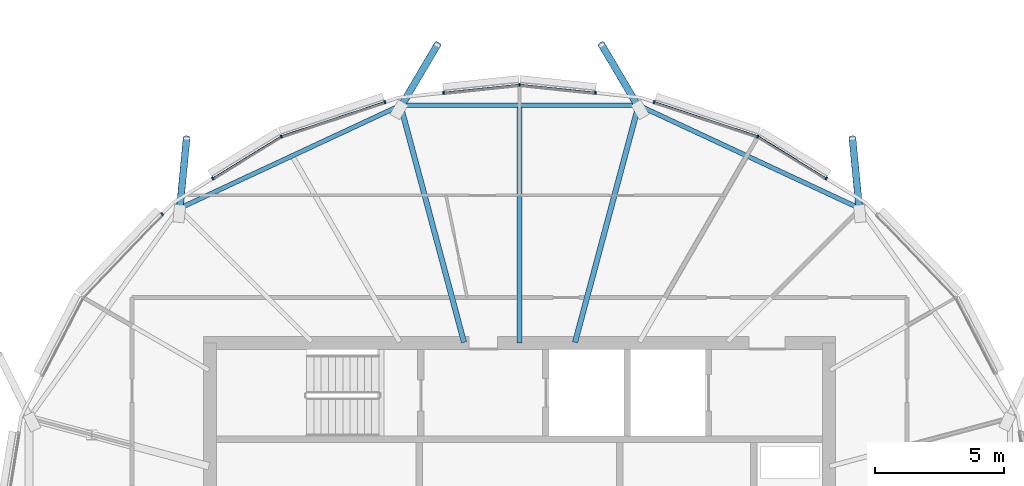
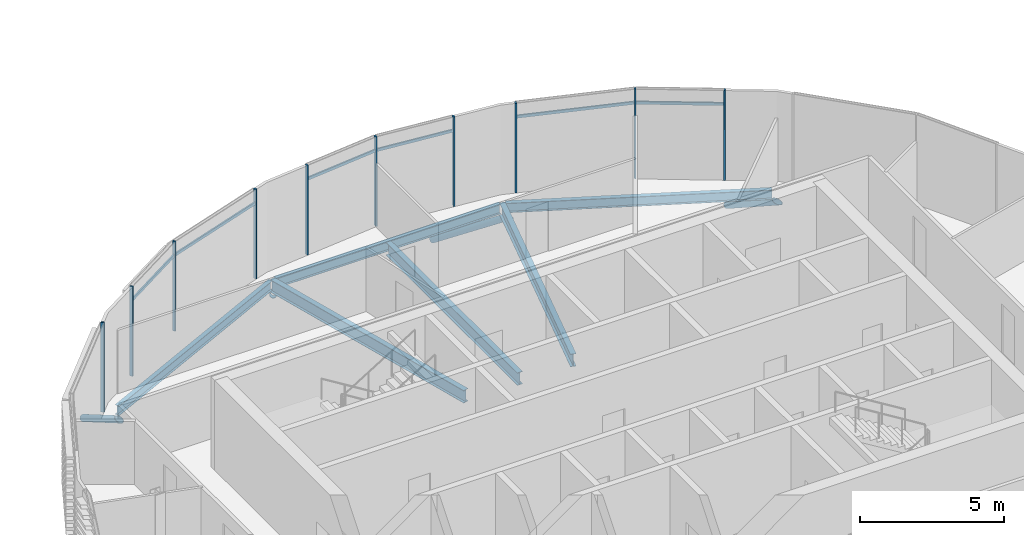
# One storey, part 7 of 34: 20 members, 6 beams, 1 element without a shape of its own.
"""IFC4 building model written with IfcOpenShell, lengths in metres."""

from ifc_helpers import new_model, si_unit, direction, frame, origin, origin_2d, place, context, subcontext, project, spatial, rectangle, hollow_circle, i_section, extrude, clip, halfspace, material, material_profile, profile_set, type_object, element, aggregate, save


model = new_model("IFC4")

# Units and contexts
model_context = context("Model", 3, precision=1e-05, world=origin(), true_north=direction((0.0, 1.0)))
body_context = subcontext(model_context, "Body", "Model", "MODEL_VIEW")
ifc_project = project(units=[si_unit("LENGTHUNIT", "METRE"), si_unit("AREAUNIT", "SQUARE_METRE"), si_unit("VOLUMEUNIT", "CUBIC_METRE"), si_unit("PLANEANGLEUNIT", "RADIAN"), si_unit("MASSUNIT", "GRAM", prefix="KILO")], contexts=[model_context])

# Site, building, storey
site_placement = place(None, origin())
site = spatial("IfcSite", under=ifc_project, at=site_placement, CompositionType="ELEMENT")
building_placement = place(site_placement, origin())
building = spatial("IfcBuilding", under=site, at=building_placement, Name="Rimbun Link Towers", CompositionType="ELEMENT")
storey_placement = place(building_placement, frame((0.0, 0.0, 252.300048828125)))
storey = spatial("IfcBuildingStorey", under=building, at=storey_placement, Name="L62", CompositionType="ELEMENT", Elevation=252.300048828125)

# Curtain wall, members
ifc_material_1 = material(Name="Aluminium 6063-T6 and low-iron glass", Category="aluminium")
curtain_wall_type = type_object("IfcCurtainWallType", Name="CW1-Z4 unitised vision wall (zone 4)", PredefinedType="NOTDEFINED", material=ifc_material_1)
curtain_wall_placement = place(storey_placement, origin())
curtain_wall = element("IfcCurtainWall", 1, at=curtain_wall_placement, inside=storey, type_object=curtain_wall_type, Name="CW1 L62 T1", PredefinedType="NOTDEFINED")
ifc_material_2 = material(Name="Aluminium 6063-T6", Category="aluminium")
ifc_material_profile_1 = material_profile(ifc_material_2, rectangle(XDim=0.1201171875, YDim=0.06005859375, at=origin_2d()), Name="MULLION 60X120")
ifc_profile_set_1 = profile_set([ifc_material_profile_1], Name="Aluminium 6063-T6")
member_type_1 = type_object("IfcMemberType", Name="CW1 mullion 60X120", PredefinedType="MULLION", material=ifc_profile_set_1)
member_1_placement = place(storey_placement, frame((-22.511474609375, 16.01220703125, 0.0), z_axis=(0.0, 0.0, 1.0), x_axis=(0.421699968812, 0.906735427953, 0.0)))
member_1 = element("IfcMember", 2, at=member_1_placement, type_object=member_type_1, Name="CW1 mullion", PredefinedType="MULLION", context=body_context, shape_type="SweptSolid", body=[
    extrude(rectangle(XDim=0.1201171875, YDim=0.06005859375, at=origin_2d()), origin(), (0.0, 0.0, 1.0), 3.800048828125),
])
member_2_placement = place(storey_placement, frame((-19.8603515625, 14.385009765625, 0.0), z_axis=(0.0, 0.0, 1.0), x_axis=(0.523228997113, 0.852192124219, 0.0)))
member_2 = element("IfcMember", 3, at=member_2_placement, type_object=member_type_1, Name="CW1 mullion", PredefinedType="MULLION", context=body_context, shape_type="SweptSolid", body=[
    extrude(rectangle(XDim=0.1201171875, YDim=0.06005859375, at=origin_2d()), origin(), (0.0, 0.0, 1.0), 3.800048828125),
])
member_3_placement = place(storey_placement, frame((-26.530517578125, 17.344482421875, 0.0), z_axis=(0.0, 0.0, 1.0), x_axis=(0.314569451089, 0.949234460205, 0.0)))
member_3 = element("IfcMember", 4, at=member_3_placement, type_object=member_type_1, Name="CW1 mullion", PredefinedType="MULLION", context=body_context, shape_type="SweptSolid", body=[
    extrude(rectangle(XDim=0.1201171875, YDim=0.06005859375, at=origin_2d()), origin(), (0.0, 0.0, 1.0), 3.800048828125),
])
member_4_placement = place(storey_placement, frame((-31.75, 18.01318359375, 0.0), z_axis=(0.0, 0.0, 1.0), x_axis=(0.0, 1.0, 0.0)))
member_4 = element("IfcMember", 5, at=member_4_placement, type_object=member_type_1, Name="CW1 mullion", PredefinedType="MULLION", context=body_context, shape_type="SweptSolid", body=[
    extrude(rectangle(XDim=0.1201171875, YDim=0.06005859375, at=origin_2d()), origin(), (0.0, 0.0, 1.0), 3.800048828125),
])
member_5_placement = place(storey_placement, frame((-28.8056640625, 17.70361328125, 0.0), z_axis=(0.0, 0.0, 1.0), x_axis=(0.10473236474, 0.994500443326, 0.0)))
member_5 = element("IfcMember", 6, at=member_5_placement, type_object=member_type_1, Name="CW1 mullion", PredefinedType="MULLION", context=body_context, shape_type="SweptSolid", body=[
    extrude(rectangle(XDim=0.1201171875, YDim=0.06005859375, at=origin_2d()), origin(), (0.0, 0.0, 1.0), 3.800048828125),
])
member_6_placement = place(storey_placement, frame((-34.6943359375, 17.70361328125, 0.0), z_axis=(0.0, 0.0, 1.0), x_axis=(-0.10473236474, 0.994500443326, 0.0)))
member_6 = element("IfcMember", 7, at=member_6_placement, type_object=member_type_1, Name="CW1 mullion", PredefinedType="MULLION", context=body_context, shape_type="SweptSolid", body=[
    extrude(rectangle(XDim=0.1201171875, YDim=0.06005859375, at=origin_2d()), origin(), (0.0, 0.0, 1.0), 3.800048828125),
])
member_7_placement = place(storey_placement, frame((-40.988525390625, 16.01220703125, 0.0), z_axis=(0.0, 0.0, 1.0), x_axis=(-0.421699968812, 0.906735427953, 0.0)))
member_7 = element("IfcMember", 8, at=member_7_placement, type_object=member_type_1, Name="CW1 mullion", PredefinedType="MULLION", context=body_context, shape_type="SweptSolid", body=[
    extrude(rectangle(XDim=0.1201171875, YDim=0.06005859375, at=origin_2d()), origin(), (0.0, 0.0, 1.0), 3.800048828125),
])
member_8_placement = place(storey_placement, frame((-36.969482421875, 17.344482421875, 0.0), z_axis=(0.0, 0.0, 1.0), x_axis=(-0.314569451089, 0.949234460205, 0.0)))
member_8 = element("IfcMember", 9, at=member_8_placement, type_object=member_type_1, Name="CW1 mullion", PredefinedType="MULLION", context=body_context, shape_type="SweptSolid", body=[
    extrude(rectangle(XDim=0.1201171875, YDim=0.06005859375, at=origin_2d()), origin(), (0.0, 0.0, 1.0), 3.800048828125),
])
member_9_placement = place(storey_placement, frame((-43.6396484375, 14.385009765625, 0.0), z_axis=(0.0, 0.0, 1.0), x_axis=(-0.523228997113, 0.852192124219, 0.0)))
member_9 = element("IfcMember", 10, at=member_9_placement, type_object=member_type_1, Name="CW1 mullion", PredefinedType="MULLION", context=body_context, shape_type="SweptSolid", body=[
    extrude(rectangle(XDim=0.1201171875, YDim=0.06005859375, at=origin_2d()), origin(), (0.0, 0.0, 1.0), 3.800048828125),
])
member_10_placement = place(storey_placement, frame((-45.6005859375, 13.00048828125, 0.0), z_axis=(0.0, 0.0, 1.0), x_axis=(-0.721858292347, 0.692040898915, 0.0)))
member_10 = element("IfcMember", 11, at=member_10_placement, type_object=member_type_1, Name="CW1 mullion", PredefinedType="MULLION", context=body_context, shape_type="SweptSolid", body=[
    extrude(rectangle(XDim=0.1201171875, YDim=0.06005859375, at=origin_2d()), origin(), (0.0, 0.0, 1.0), 3.800048828125),
])
ifc_material_3 = material(Name="Aluminium 6063-T6", Category="aluminium")
ifc_material_profile_2 = material_profile(ifc_material_3, rectangle(XDim=0.06005859375, YDim=0.1201171875, at=origin_2d()), Name="TRANSOM 60X120")
ifc_profile_set_2 = profile_set([ifc_material_profile_2], Name="Aluminium 6063-T6")
member_type_2 = type_object("IfcMemberType", Name="CW1 transom 60X120", PredefinedType="USERDEFINED", material=ifc_profile_set_2)
member_11_placement = place(storey_placement, frame((-22.480712890625, 15.991455078125, 3.199951171875), z_axis=(0.852189422972, -0.523233396654, 0.0), x_axis=(0.523233396654, 0.852189422972, 0.0)))
member_11 = element("IfcMember", 12, at=member_11_placement, type_object=member_type_2, Name="CW1 transom", ObjectType="TRANSOM", PredefinedType="USERDEFINED", context=body_context, shape_type="SweptSolid", body=[
    extrude(rectangle(XDim=0.06005859375, YDim=0.1201171875, at=origin_2d()), origin(), (0.0, 0.0, 1.0), 3.043701171875),
])
member_12_placement = place(storey_placement, frame((-26.502685546875, 17.333251953125, 3.199951171875), z_axis=(0.949226715592, -0.314592820017, 0.0), x_axis=(0.314592820017, 0.949226715592, 0.0)))
member_12 = element("IfcMember", 13, at=member_12_placement, type_object=member_type_2, Name="CW1 transom", ObjectType="TRANSOM", PredefinedType="USERDEFINED", context=body_context, shape_type="SweptSolid", body=[
    extrude(rectangle(XDim=0.06005859375, YDim=0.1201171875, at=origin_2d()), origin(), (0.0, 0.0, 1.0), 4.16748046875),
])
member_13_placement = place(storey_placement, frame((-31.714111328125, 18.0078125, 3.199951171875), z_axis=(0.99449713024, -0.104763819827, 0.0), x_axis=(0.104763819827, 0.99449713024, 0.0)))
member_13 = element("IfcMember", 14, at=member_13_placement, type_object=member_type_2, Name="CW1 transom", ObjectType="TRANSOM", PredefinedType="USERDEFINED", context=body_context, shape_type="SweptSolid", body=[
    extrude(rectangle(XDim=0.06005859375, YDim=0.1201171875, at=origin_2d()), origin(), (0.0, 0.0, 1.0), 2.894287109375),
])
member_14_placement = place(storey_placement, frame((-34.664306640625, 17.70458984375, 3.199951171875), z_axis=(0.99449713024, 0.104763819827, 0.0), x_axis=(-0.104763819827, 0.99449713024, 0.0)))
member_14 = element("IfcMember", 15, at=member_14_placement, type_object=member_type_2, Name="CW1 transom", ObjectType="TRANSOM", PredefinedType="USERDEFINED", context=body_context, shape_type="SweptSolid", body=[
    extrude(rectangle(XDim=0.06005859375, YDim=0.1201171875, at=origin_2d()), origin(), (0.0, 0.0, 1.0), 2.894287109375),
])
member_15_placement = place(storey_placement, frame((-40.953125, 16.022216796875, 3.199951171875), z_axis=(0.949226715592, 0.314592820017, 0.0), x_axis=(-0.314592820017, 0.949226715592, 0.0)))
member_15 = element("IfcMember", 16, at=member_15_placement, type_object=member_type_2, Name="CW1 transom", ObjectType="TRANSOM", PredefinedType="USERDEFINED", context=body_context, shape_type="SweptSolid", body=[
    extrude(rectangle(XDim=0.06005859375, YDim=0.1201171875, at=origin_2d()), origin(), (0.0, 0.0, 1.0), 4.16748046875),
])
member_16_placement = place(storey_placement, frame((-43.613037109375, 14.39892578125, 3.199951171875), z_axis=(0.852189422972, 0.523233396654, 0.0), x_axis=(-0.523233396654, 0.852189422972, 0.0)))
member_16 = element("IfcMember", 17, at=member_16_placement, type_object=member_type_2, Name="CW1 transom", ObjectType="TRANSOM", PredefinedType="USERDEFINED", context=body_context, shape_type="SweptSolid", body=[
    extrude(rectangle(XDim=0.06005859375, YDim=0.1201171875, at=origin_2d()), origin(), (0.0, 0.0, 1.0), 3.043701171875),
])
aggregate(curtain_wall, [member_1, member_2, member_3, member_4, member_5, member_6, member_7, member_8, member_9, member_10, member_11, member_12, member_13, member_14, member_15, member_16])

# Members
ifc_material_4 = material(Name="Steel S355J2H", Category="steel")
ifc_material_profile_3 = material_profile(ifc_material_4, hollow_circle(Radius=0.136474609375, WallThickness=0.012451171875, at=origin_2d()), Name="CHS 273x12.5")
ifc_profile_set_3 = profile_set([ifc_material_profile_3], Name="Steel S355J2H")
member_type_3 = type_object("IfcMemberType", Name="Floor edge link CHS 273x12.5", PredefinedType="BRACE", material=ifc_profile_set_3)
member_17_placement = place(storey_placement, frame((-18.574951171875, 13.175048828125, -0.66259765625), z_axis=(-0.082598273925, 0.846780333317, -0.525490810816), x_axis=(-0.995276274176, -0.097083150247, 0.0)))
element("IfcMember", 18, at=member_17_placement, inside=storey, type_object=member_type_3, Name="Floor edge link T1 L62 03", PredefinedType="BRACE", context=body_context, shape_type="Clipping", body=[
    clip(extrude(hollow_circle(Radius=0.136474609375, WallThickness=0.012451171875, at=origin_2d()), frame((0.0, 0.0, -0.4609375)), (0.0, 0.0, 1.0), 3.759521484375), halfspace(frame((0.0, 0.0, -0.21728515625), z_axis=(0.0, 0.850799275827, -0.525490810816)), False)),
])
for number, where, z_axis, x_axis, name in (
    (19, (-27.14990234375, 17.167724609375, -0.787109375), (-0.424091447819, 0.717893664357, -0.552064426099), (-0.860988738342, -0.508624018748, 0.0), "Floor edge link T1 L62 05"),
    (20, (-36.35009765625, 17.167724609375, -0.787109375), (0.424091447819, 0.717893664357, -0.552064426099), (-0.860988738342, 0.508624018748, 0.0), "Floor edge link T1 L62 07"),
):
    element("IfcMember", number, at=place(storey_placement, frame(where, z_axis=z_axis, x_axis=x_axis)), inside=storey, type_object=member_type_3, Name=name, PredefinedType="BRACE", context=body_context, shape_type="Clipping", body=[
        clip(extrude(hollow_circle(Radius=0.136474609375, WallThickness=0.012451171875, at=origin_2d()), frame((0.0, 0.0, -0.430419921875)), (0.0, 0.0, 1.0), 3.80322265625), halfspace(frame((0.0, 0.0, -0.202880859375), z_axis=(0.0, 0.833801456845, -0.552064426099)), False)),
    ])
member_18_placement = place(storey_placement, frame((-44.925048828125, 13.175048828125, -0.66259765625), z_axis=(0.082598273925, 0.846780333317, -0.525490810816), x_axis=(-0.995276274176, 0.097083150247, 0.0)))
element("IfcMember", 21, at=member_18_placement, inside=storey, type_object=member_type_3, Name="Floor edge link T1 L62 09", PredefinedType="BRACE", context=body_context, shape_type="Clipping", body=[
    clip(extrude(hollow_circle(Radius=0.136474609375, WallThickness=0.012451171875, at=origin_2d()), frame((0.0, 0.0, -0.4609375)), (0.0, 0.0, 1.0), 3.759521484375), halfspace(frame((0.0, 0.0, -0.21728515625), z_axis=(0.0, 0.850799275827, -0.525490810816)), False)),
])

# Beams
ifc_material_5 = material(Name="Steel S355J2", Category="steel")
ifc_material_profile_4 = material_profile(ifc_material_5, i_section(OverallWidth=0.177978515625, OverallDepth=0.406494140625, WebThickness=0.0078125, FlangeThickness=0.0126953125, at=origin_2d()), Name="UB 406x178x60")
ifc_profile_set_4 = profile_set([ifc_material_profile_4], Name="Steel S355J2")
beam_type_1 = type_object("IfcBeamType", Name="UB 406x178x60", PredefinedType="BEAM", material=ifc_profile_set_4)
beam_1_placement = place(storey_placement, frame((-18.62646484375, 13.250732421875, -0.34326171875), z_axis=(-0.906432957626, 0.422349728696, 0.0), x_axis=(-0.422349728696, -0.906432957626, 0.0)))
element("IfcBeam", 22, at=beam_1_placement, inside=storey, type_object=beam_type_1, Name="Edge beam T1 L62 03-05", PredefinedType="BEAM", context=body_context, shape_type="SweptSolid", body=[
    extrude(i_section(OverallWidth=0.177978515625, OverallDepth=0.406494140625, WebThickness=0.0078125, FlangeThickness=0.0126953125, at=origin_2d()), origin(), (0.0, 0.0, 1.0), 9.28173828125),
])
beam_2_placement = place(storey_placement, frame((-27.246337890625, 17.216064453125, -0.34326171875), z_axis=(-1.0, 0.0, 0.0), x_axis=(0.0, -1.0, 0.0)))
element("IfcBeam", 23, at=beam_2_placement, inside=storey, type_object=beam_type_1, Name="Edge beam T1 L62 05-07", PredefinedType="BEAM", context=body_context, shape_type="SweptSolid", body=[
    extrude(i_section(OverallWidth=0.177978515625, OverallDepth=0.406494140625, WebThickness=0.0078125, FlangeThickness=0.0126953125, at=origin_2d()), origin(), (0.0, 0.0, 1.0), 9.00732421875),
])
beam_3_placement = place(storey_placement, frame((-36.460205078125, 17.1708984375, -0.34326171875), z_axis=(-0.906432957626, -0.422349728696, 0.0), x_axis=(0.422349728696, -0.906432957626, 0.0)))
element("IfcBeam", 24, at=beam_3_placement, inside=storey, type_object=beam_type_1, Name="Edge beam T1 L62 07-09", PredefinedType="BEAM", context=body_context, shape_type="SweptSolid", body=[
    extrude(i_section(OverallWidth=0.177978515625, OverallDepth=0.406494140625, WebThickness=0.0078125, FlangeThickness=0.0126953125, at=origin_2d()), origin(), (0.0, 0.0, 1.0), 9.28173828125),
])
ifc_material_6 = material(Name="Steel S355J2", Category="steel")
ifc_material_profile_5 = material_profile(ifc_material_6, i_section(OverallWidth=0.209228515625, OverallDepth=0.533203125, WebThickness=0.010009765625, FlangeThickness=0.015625, at=origin_2d()), Name="UB 533x210x92")
ifc_profile_set_5 = profile_set([ifc_material_profile_5], Name="Steel S355J2")
beam_type_2 = type_object("IfcBeamType", Name="UB 533x210x92", PredefinedType="BEAM", material=ifc_profile_set_5)
beam_4_placement = place(storey_placement, frame((-29.598876953125, 8.028076171875, -0.406494140625), z_axis=(0.258819047307, 0.965925825698, 0.0), x_axis=(-0.965925825698, 0.258819047307, 0.0)))
element("IfcBeam", 25, at=beam_4_placement, inside=storey, type_object=beam_type_2, Name="Radial beam T1 L62 05", PredefinedType="BEAM", context=body_context, shape_type="SweptSolid", body=[
    extrude(i_section(OverallWidth=0.209228515625, OverallDepth=0.533203125, WebThickness=0.010009765625, FlangeThickness=0.015625, at=origin_2d()), origin(), (0.0, 0.0, 1.0), 9.51220703125),
])
beam_5_placement = place(storey_placement, frame((-31.75, 8.0009765625, -0.406494140625), z_axis=(0.0, 1.0, 0.0), x_axis=(-1.0, 0.0, 0.0)))
element("IfcBeam", 26, at=beam_5_placement, inside=storey, type_object=beam_type_2, Name="Radial beam T1 L62 06", PredefinedType="BEAM", context=body_context, shape_type="SweptSolid", body=[
    extrude(i_section(OverallWidth=0.209228515625, OverallDepth=0.533203125, WebThickness=0.010009765625, FlangeThickness=0.015625, at=origin_2d()), origin(), (0.0, 0.0, 1.0), 9.125244140625),
])
beam_6_placement = place(storey_placement, frame((-33.901123046875, 8.028076171875, -0.406494140625), z_axis=(-0.258819047307, 0.965925825698, 0.0), x_axis=(-0.965925825698, -0.258819047307, 0.0)))
element("IfcBeam", 27, at=beam_6_placement, inside=storey, type_object=beam_type_2, Name="Radial beam T1 L62 07", PredefinedType="BEAM", context=body_context, shape_type="SweptSolid", body=[
    extrude(i_section(OverallWidth=0.209228515625, OverallDepth=0.533203125, WebThickness=0.010009765625, FlangeThickness=0.015625, at=origin_2d()), origin(), (0.0, 0.0, 1.0), 9.51220703125),
])

save(model, "model.ifc")
